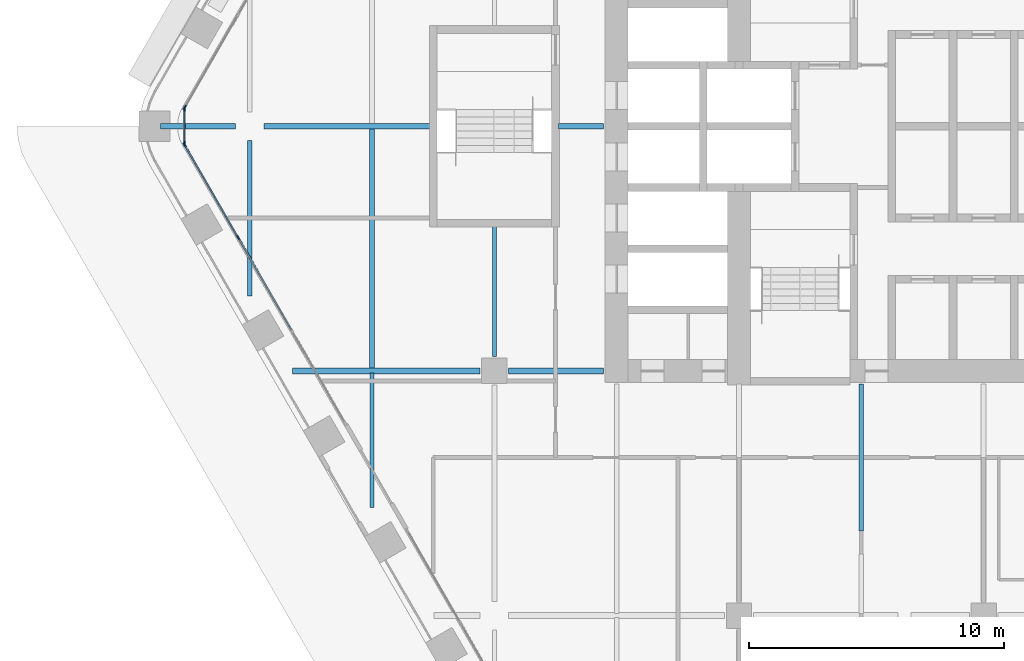
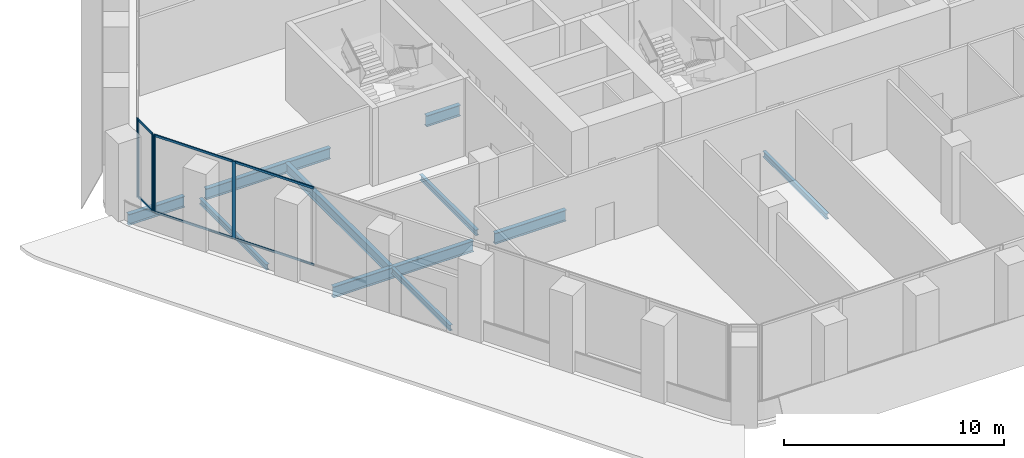
# One storey, part 3 of 23: 11 members, 10 beams, 3 elements without a shape of their own.
"""IFC4 building model written with IfcOpenShell, lengths in metres."""

from ifc_helpers import new_model, si_unit, direction, frame, origin, origin_2d, place, context, subcontext, project, spatial, rectangle, i_section, extrude, material, material_profile, profile_set, type_object, element, aggregate, save


model = new_model("IFC4")

# Units and contexts
model_context = context("Model", 3, precision=1e-05, world=origin(), true_north=direction((0.0, 1.0)))
body_context = subcontext(model_context, "Body", "Model", "MODEL_VIEW")
ifc_project = project(units=[si_unit("LENGTHUNIT", "METRE"), si_unit("AREAUNIT", "SQUARE_METRE"), si_unit("VOLUMEUNIT", "CUBIC_METRE"), si_unit("PLANEANGLEUNIT", "RADIAN"), si_unit("MASSUNIT", "GRAM", prefix="KILO")], contexts=[model_context])

# Site, building, storey
site_placement = place(None, origin())
site = spatial("IfcSite", under=ifc_project, at=site_placement, CompositionType="ELEMENT")
building_placement = place(site_placement, origin())
building = spatial("IfcBuilding", under=site, at=building_placement, Name="Kolab Exchange Tower", CompositionType="ELEMENT")
storey_placement = place(building_placement, frame((0.0, 0.0, 77.89990234375)))
storey = spatial("IfcBuildingStorey", under=building, at=storey_placement, Name="L14", CompositionType="ELEMENT", Elevation=77.89990234375)

# Beams
ifc_material_1 = material(Name="Steel S355", Category="steel")
ifc_material_profile_1 = material_profile(ifc_material_1, i_section(OverallWidth=0.1650390625, OverallDepth=0.31005859375, WebThickness=0.005859375, FlangeThickness=0.009765625, at=origin_2d()), Name="W310X39")
ifc_profile_set_1 = profile_set([ifc_material_profile_1], Name="Steel S355")
beam_type_1 = type_object("IfcBeamType", Name="FLOOR BEAM W310X39", PredefinedType="BEAM", material=ifc_profile_set_1)
beam_1_placement = place(storey_placement, frame((-28.800048828125, -6.65380859375, -0.35498046875), z_axis=(0.0, 1.0, 0.0), x_axis=(-1.0, 0.0, 0.0)))
element("IfcBeam", 1, at=beam_1_placement, inside=storey, type_object=beam_type_1, Name="beam/L14/fr/000", PredefinedType="BEAM", context=body_context, shape_type="SweptSolid", body=[
    extrude(i_section(OverallWidth=0.1650390625, OverallDepth=0.31005859375, WebThickness=0.005859375, FlangeThickness=0.009765625, at=origin_2d()), origin(), (0.0, 0.0, 1.0), 6.09375),
])
beam_2_placement = place(storey_placement, frame((-24.0, -14.9677734375, -0.35498046875), z_axis=(0.0, 1.0, 0.0), x_axis=(-1.0, 0.0, 0.0)))
element("IfcBeam", 2, at=beam_2_placement, inside=storey, type_object=beam_type_1, Name="beam/L14/fr/002", PredefinedType="BEAM", context=body_context, shape_type="SweptSolid", body=[
    extrude(i_section(OverallWidth=0.1650390625, OverallDepth=0.31005859375, WebThickness=0.005859375, FlangeThickness=0.009765625, at=origin_2d()), origin(), (0.0, 0.0, 1.0), 5.293701171875),
])
beam_3_placement = place(storey_placement, frame((-19.199951171875, -9.0400390625, -0.35498046875), z_axis=(0.0, 1.0, 0.0), x_axis=(-1.0, 0.0, 0.0)))
element("IfcBeam", 3, at=beam_3_placement, inside=storey, type_object=beam_type_1, Name="beam/L14/fr/008", PredefinedType="BEAM", context=body_context, shape_type="SweptSolid", body=[
    extrude(i_section(OverallWidth=0.1650390625, OverallDepth=0.31005859375, WebThickness=0.005859375, FlangeThickness=0.009765625, at=origin_2d()), origin(), (0.0, 0.0, 1.0), 5.130126953125),
])
beam_4_placement = place(storey_placement, frame((-4.800048828125, -15.876708984375, -0.35498046875), z_axis=(0.0, 1.0, 0.0), x_axis=(-1.0, 0.0, 0.0)))
element("IfcBeam", 4, at=beam_4_placement, inside=storey, type_object=beam_type_1, Name="beam/L14/fr/023", PredefinedType="BEAM", context=body_context, shape_type="SweptSolid", body=[
    extrude(i_section(OverallWidth=0.1650390625, OverallDepth=0.31005859375, WebThickness=0.005859375, FlangeThickness=0.009765625, at=origin_2d()), origin(), (0.0, 0.0, 1.0), 5.7666015625),
])
ifc_material_profile_2 = material_profile(ifc_material_1, i_section(OverallWidth=0.208984375, OverallDepth=0.532958984375, WebThickness=0.01025390625, FlangeThickness=0.015625, at=origin_2d()), Name="W530X92")
ifc_profile_set_2 = profile_set([ifc_material_profile_2], Name="Steel S355")
beam_type_2 = type_object("IfcBeamType", Name="FLOOR BEAM W530X92", PredefinedType="BEAM", material=ifc_profile_set_2)
beam_5_placement = place(storey_placement, frame((-24.0, -9.52587890625, -0.46630859375), z_axis=(0.0, 1.0, 0.0), x_axis=(-1.0, 0.0, 0.0)))
element("IfcBeam", 5, at=beam_5_placement, inside=storey, type_object=beam_type_2, Name="beam/L14/fr/003", PredefinedType="BEAM", context=body_context, shape_type="SweptSolid", body=[
    extrude(i_section(OverallWidth=0.208984375, OverallDepth=0.532958984375, WebThickness=0.01025390625, FlangeThickness=0.015625, at=origin_2d()), origin(), (0.0, 0.0, 1.0), 9.451904296875),
])
ifc_material_profile_3 = material_profile(ifc_material_1, i_section(OverallWidth=0.22802734375, OverallDepth=0.60791015625, WebThickness=0.01123046875, FlangeThickness=0.017333984375, at=origin_2d()), Name="W610X113")
ifc_profile_set_3 = profile_set([ifc_material_profile_3], Name="Steel S355")
beam_type_3 = type_object("IfcBeamType", Name="FLOOR GIRDER W610X113", PredefinedType="BEAM", material=ifc_profile_set_3)
beam_6_placement = place(storey_placement, frame((-32.298583984375, 0.0, -0.50390625), z_axis=(1.0, 0.0, 0.0), x_axis=(0.0, 1.0, 0.0)))
element("IfcBeam", 6, at=beam_6_placement, inside=storey, type_object=beam_type_3, Name="beam/L14/gd/000", PredefinedType="BEAM", context=body_context, shape_type="SweptSolid", body=[
    extrude(i_section(OverallWidth=0.22802734375, OverallDepth=0.60791015625, WebThickness=0.01123046875, FlangeThickness=0.017333984375, at=origin_2d()), origin(), (0.0, 0.0, 1.0), 2.9384765625),
])
beam_7_placement = place(storey_placement, frame((-28.239990234375, 0.0, -0.50390625), z_axis=(1.0, 0.0, 0.0), x_axis=(0.0, 1.0, 0.0)))
element("IfcBeam", 7, at=beam_7_placement, inside=storey, type_object=beam_type_3, Name="beam/L14/gd/001", PredefinedType="BEAM", context=body_context, shape_type="SweptSolid", body=[
    extrude(i_section(OverallWidth=0.22802734375, OverallDepth=0.60791015625, WebThickness=0.01123046875, FlangeThickness=0.017333984375, at=origin_2d()), origin(), (0.0, 0.0, 1.0), 6.530029296875),
])
beam_8_placement = place(storey_placement, frame((-27.115966796875, -9.60009765625, -0.50390625), z_axis=(1.0, 0.0, 0.0), x_axis=(0.0, 1.0, 0.0)))
element("IfcBeam", 8, at=beam_8_placement, inside=storey, type_object=beam_type_3, Name="beam/L14/gd/002", PredefinedType="BEAM", context=body_context, shape_type="SweptSolid", body=[
    extrude(i_section(OverallWidth=0.22802734375, OverallDepth=0.60791015625, WebThickness=0.01123046875, FlangeThickness=0.017333984375, at=origin_2d()), origin(), (0.0, 0.0, 1.0), 7.35595703125),
])
beam_9_placement = place(storey_placement, frame((-18.639892578125, -9.60009765625, -0.50390625), z_axis=(1.0, 0.0, 0.0), x_axis=(0.0, 1.0, 0.0)))
element("IfcBeam", 9, at=beam_9_placement, inside=storey, type_object=beam_type_3, Name="beam/L14/gd/007", PredefinedType="BEAM", context=body_context, shape_type="SweptSolid", body=[
    extrude(i_section(OverallWidth=0.22802734375, OverallDepth=0.60791015625, WebThickness=0.01123046875, FlangeThickness=0.017333984375, at=origin_2d()), origin(), (0.0, 0.0, 1.0), 3.72998046875),
])
beam_10_placement = place(storey_placement, frame((-16.68994140625, 0.0, -0.50390625), z_axis=(1.0, 0.0, 0.0), x_axis=(0.0, 1.0, 0.0)))
element("IfcBeam", 10, at=beam_10_placement, inside=storey, type_object=beam_type_3, Name="beam/L14/gd/010", PredefinedType="BEAM", context=body_context, shape_type="SweptSolid", body=[
    extrude(i_section(OverallWidth=0.22802734375, OverallDepth=0.60791015625, WebThickness=0.01123046875, FlangeThickness=0.017333984375, at=origin_2d()), origin(), (0.0, 0.0, 1.0), 1.780029296875),
])

# Curtain wall, members
ifc_material_2 = material(Name="Aluminium EN AW-6063 T6", Category="aluminium")
curtain_wall_type = type_object("IfcCurtainWallType", Name="UNITISED LOWER MID ZONE CURTAIN WALL", PredefinedType="NOTDEFINED", material=ifc_material_2)
curtain_wall_1_placement = place(storey_placement, origin())
curtain_wall_1 = element("IfcCurtainWall", 11, at=curtain_wall_1_placement, inside=storey, type_object=curtain_wall_type, Name="cw/L14/F5-2", PredefinedType="NOTDEFINED")
ifc_material_profile_4 = material_profile(ifc_material_2, rectangle(XDim=0.06005859375, YDim=0.179931640625, at=origin_2d()), Name="RECT 60X180")
ifc_profile_set_4 = profile_set([ifc_material_profile_4], Name="Aluminium EN AW-6063 T6")
member_type_1 = type_object("IfcMemberType", Name="UNITISED LOWER MID ZONE MULLION 60 X 180", PredefinedType="MULLION", material=ifc_profile_set_4)
member_1_placement = place(storey_placement, frame((-29.25439453125, -4.366943359375, 0.0), z_axis=(0.0, 0.0, 1.0), x_axis=(-0.866025427826, -0.499999958358, 0.0)))
member_1 = element("IfcMember", 12, at=member_1_placement, type_object=member_type_1, Name="CW2 mullion 3", PredefinedType="MULLION", context=body_context, shape_type="SweptSolid", body=[
    extrude(rectangle(XDim=0.06005859375, YDim=0.179931640625, at=origin_2d()), origin(), (0.0, 0.0, 1.0), 4.300048828125),
])
member_2_placement = place(storey_placement, frame((-31.3505859375, -0.736083984375, 0.0), z_axis=(0.0, 0.0, 1.0), x_axis=(-0.866025427826, -0.499999958358, 0.0)))
member_2 = element("IfcMember", 13, at=member_2_placement, type_object=member_type_1, Name="CW2 mullion 4", PredefinedType="MULLION", context=body_context, shape_type="SweptSolid", body=[
    extrude(rectangle(XDim=0.06005859375, YDim=0.179931640625, at=origin_2d()), origin(), (0.0, 0.0, 1.0), 4.300048828125),
])

# Curtain wall, member
curtain_wall_2_placement = place(storey_placement, origin())
curtain_wall_2 = element("IfcCurtainWall", 14, at=curtain_wall_2_placement, inside=storey, type_object=curtain_wall_type, Name="cw/L14/F6-1", PredefinedType="NOTDEFINED")
member_3_placement = place(storey_placement, frame((-31.3505859375, 0.736083984375, 0.0), z_axis=(0.0, 0.0, 1.0), x_axis=(-0.866025427826, 0.499999958358, 0.0)))
member_3 = element("IfcMember", 15, at=member_3_placement, type_object=member_type_1, Name="CW2 mullion 1", PredefinedType="MULLION", context=body_context, shape_type="SweptSolid", body=[
    extrude(rectangle(XDim=0.06005859375, YDim=0.179931640625, at=origin_2d()), origin(), (0.0, 0.0, 1.0), 4.300048828125),
])
aggregate(curtain_wall_2, [member_3])

# Curtain wall, members
curtain_wall_3_placement = place(storey_placement, origin())
curtain_wall_3 = element("IfcCurtainWall", 16, at=curtain_wall_3_placement, inside=storey, type_object=curtain_wall_type, Name="cw/L14/F5F6-corner", PredefinedType="NOTDEFINED")
member_4_placement = place(storey_placement, frame((-31.36572265625, -0.679931640625, 0.0), z_axis=(0.0, 0.0, 1.0), x_axis=(-1.0, 0.0, 0.0)))
member_4 = element("IfcMember", 17, at=member_4_placement, type_object=member_type_1, Name="CW2 mullion 1", PredefinedType="MULLION", context=body_context, shape_type="SweptSolid", body=[
    extrude(rectangle(XDim=0.06005859375, YDim=0.179931640625, at=origin_2d()), origin(), (0.0, 0.0, 1.0), 4.300048828125),
])
member_5_placement = place(storey_placement, frame((-31.36572265625, 0.679931640625, 0.0), z_axis=(0.0, 0.0, 1.0), x_axis=(-1.0, 0.0, 0.0)))
member_5 = element("IfcMember", 18, at=member_5_placement, type_object=member_type_1, Name="CW2 mullion 2", PredefinedType="MULLION", context=body_context, shape_type="SweptSolid", body=[
    extrude(rectangle(XDim=0.06005859375, YDim=0.179931640625, at=origin_2d()), origin(), (0.0, 0.0, 1.0), 4.300048828125),
])

# Member
ifc_material_profile_5 = material_profile(ifc_material_2, rectangle(XDim=0.06005859375, YDim=0.1201171875, at=origin_2d()), Name="RECT 60X120")
ifc_profile_set_5 = profile_set([ifc_material_profile_5], Name="Aluminium EN AW-6063 T6")
member_type_2 = type_object("IfcMemberType", Name="UNITISED LOWER MID ZONE TRANSOM 60 X 120", PredefinedType="USERDEFINED", material=ifc_profile_set_5)
member_6_placement = place(storey_placement, frame((-27.157958984375, -7.997802734375, 0.030029296875), z_axis=(-0.49999322259, 0.866029316688, 0.0), x_axis=(-0.866029316688, -0.49999322259, 0.0)))
member_6 = element("IfcMember", 19, at=member_6_placement, type_object=member_type_2, Name="CW2 transom 2.1", ObjectType="TRANSOM", PredefinedType="USERDEFINED", context=body_context, shape_type="SweptSolid", body=[
    extrude(rectangle(XDim=0.06005859375, YDim=0.1201171875, at=origin_2d()), origin(), (0.0, 0.0, 1.0), 4.16259765625),
])

member_7_placement = place(storey_placement, frame((-27.157958984375, -7.997802734375, 4.27001953125), z_axis=(-0.49999322259, 0.866029316688, 0.0), x_axis=(-0.866029316688, -0.49999322259, 0.0)))
member_7 = element("IfcMember", 20, at=member_7_placement, type_object=member_type_2, Name="CW2 transom 2.2", ObjectType="TRANSOM", PredefinedType="USERDEFINED", context=body_context, shape_type="SweptSolid", body=[
    extrude(rectangle(XDim=0.06005859375, YDim=0.1201171875, at=origin_2d()), origin(), (0.0, 0.0, 1.0), 4.16259765625),
])

member_8_placement = place(storey_placement, frame((-29.269287109375, -4.3408203125, 0.030029296875), z_axis=(-0.500027577057, 0.866009481578, 0.0), x_axis=(-0.866009481578, -0.500027577057, 0.0)))
member_8 = element("IfcMember", 21, at=member_8_placement, type_object=member_type_2, Name="CW2 transom 3.1", ObjectType="TRANSOM", PredefinedType="USERDEFINED", context=body_context, shape_type="SweptSolid", body=[
    extrude(rectangle(XDim=0.06005859375, YDim=0.1201171875, at=origin_2d()), origin(), (0.0, 0.0, 1.0), 4.132568359375),
])

member_9_placement = place(storey_placement, frame((-29.269287109375, -4.3408203125, 4.27001953125), z_axis=(-0.500027577057, 0.866009481578, 0.0), x_axis=(-0.866009481578, -0.500027577057, 0.0)))
member_9 = element("IfcMember", 22, at=member_9_placement, type_object=member_type_2, Name="CW2 transom 3.2", ObjectType="TRANSOM", PredefinedType="USERDEFINED", context=body_context, shape_type="SweptSolid", body=[
    extrude(rectangle(XDim=0.06005859375, YDim=0.1201171875, at=origin_2d()), origin(), (0.0, 0.0, 1.0), 4.132568359375),
])

aggregate(curtain_wall_1, [member_1, member_2, member_6, member_7, member_8, member_9])

member_10_placement = place(storey_placement, frame((-31.36572265625, -0.64990234375, 0.030029296875), z_axis=(0.0, 1.0, 0.0), x_axis=(-1.0, 0.0, 0.0)))
member_10 = element("IfcMember", 23, at=member_10_placement, type_object=member_type_2, Name="CW2 transom 1.1", ObjectType="TRANSOM", PredefinedType="USERDEFINED", context=body_context, shape_type="SweptSolid", body=[
    extrude(rectangle(XDim=0.06005859375, YDim=0.1201171875, at=origin_2d()), origin(), (0.0, 0.0, 1.0), 1.2998046875),
])

member_11_placement = place(storey_placement, frame((-31.36572265625, -0.64990234375, 4.27001953125), z_axis=(0.0, 1.0, 0.0), x_axis=(-1.0, 0.0, 0.0)))
member_11 = element("IfcMember", 24, at=member_11_placement, type_object=member_type_2, Name="CW2 transom 1.2", ObjectType="TRANSOM", PredefinedType="USERDEFINED", context=body_context, shape_type="SweptSolid", body=[
    extrude(rectangle(XDim=0.06005859375, YDim=0.1201171875, at=origin_2d()), origin(), (0.0, 0.0, 1.0), 1.2998046875),
])

aggregate(curtain_wall_3, [member_4, member_5, member_10, member_11])

save(model, "model.ifc")
